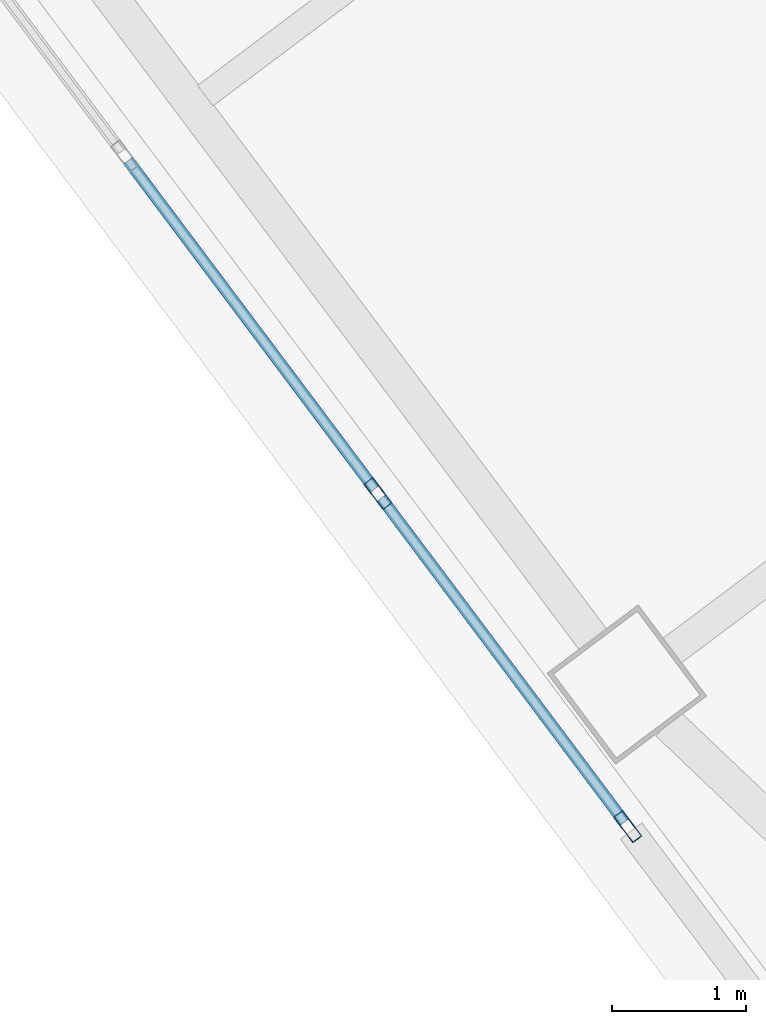
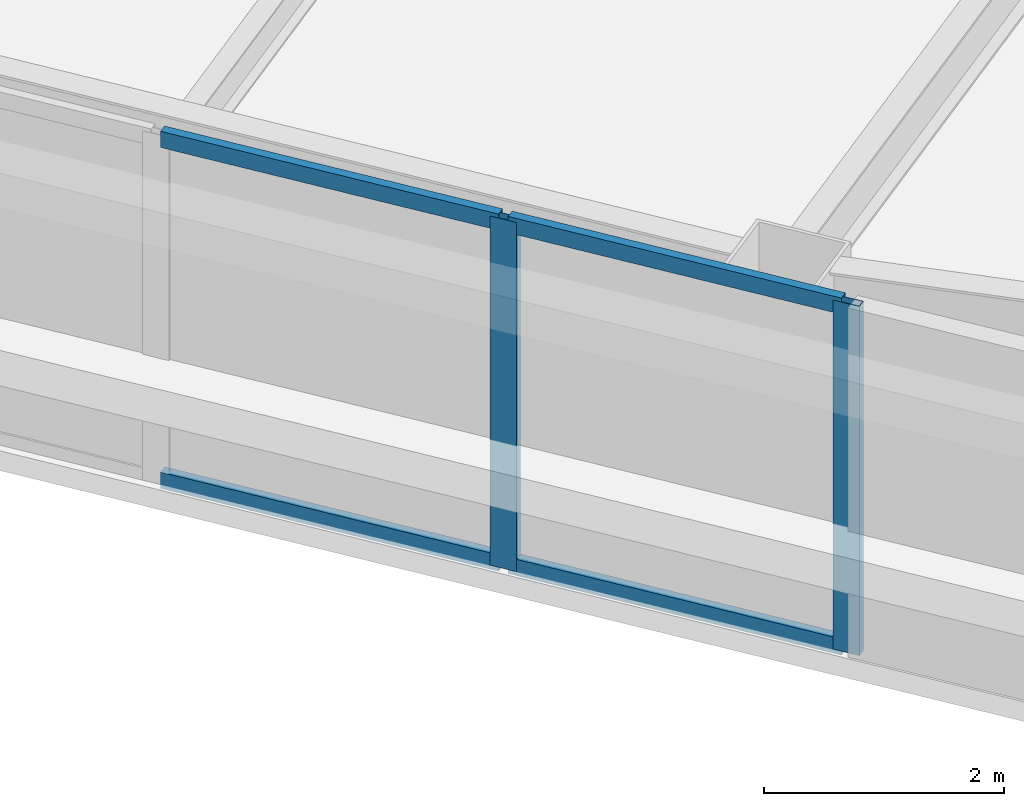
# One storey, part 34 of 75: 6 members, 1 element without a shape of its own.
"""IFC4 building model written with IfcOpenShell, lengths in metres."""

from ifc_helpers import new_model, si_unit, direction, frame, origin, origin_2d, place, context, subcontext, project, spatial, hollow_rectangle, extrude, material, material_profile, profile_set, type_object, element, aggregate, save


model = new_model("IFC4")

# Units and contexts
model_context = context("Model", 3, precision=1e-05, world=origin(), true_north=direction((0.0, 1.0)))
body_context = subcontext(model_context, "Body", "Model", "MODEL_VIEW")
ifc_project = project(units=[si_unit("LENGTHUNIT", "METRE"), si_unit("AREAUNIT", "SQUARE_METRE"), si_unit("VOLUMEUNIT", "CUBIC_METRE"), si_unit("PLANEANGLEUNIT", "RADIAN"), si_unit("MASSUNIT", "GRAM", prefix="KILO")], contexts=[model_context])

# Site, building, storey
site_placement = place(None, origin())
site = spatial("IfcSite", under=ifc_project, at=site_placement, CompositionType="ELEMENT")
building_placement = place(site_placement, origin())
building = spatial("IfcBuilding", under=site, at=building_placement, Name="Tashvorn Skyway Center", CompositionType="ELEMENT")
storey_placement = place(building_placement, frame((0.0, 0.0, 45.89990234375)))
storey = spatial("IfcBuildingStorey", under=building, at=storey_placement, Name="L11", CompositionType="ELEMENT", Elevation=45.89990234375)

# Curtain wall, members
ifc_material = material(Name="Thermally broken bronze-anodized aluminium 6063-T6", Category="aluminium")
curtain_wall_type = type_object("IfcCurtainWallType", Name="CW-CW-Z1", PredefinedType="NOTDEFINED", material=ifc_material)
curtain_wall_placement = place(storey_placement, origin())
curtain_wall = element("IfcCurtainWall", 1, at=curtain_wall_placement, inside=storey, type_object=curtain_wall_type, Name="Tower 2 L11 West Unitised Curtain Wall Glazing Group 2", PredefinedType="NOTDEFINED")
ifc_material_profile_1 = material_profile(ifc_material, hollow_rectangle(XDim=0.0849609375, YDim=0.239990234375, WallThickness=0.0048828125, at=origin_2d()), Name="ALU-MULL-85x240")
ifc_profile_set_1 = profile_set([ifc_material_profile_1], Name="Thermally broken bronze-anodized aluminium 6063-T6")
member_type_1 = type_object("IfcMemberType", Name="CWM-CW-Z1", PredefinedType="MULLION", material=ifc_profile_set_1)
member_1_placement = place(storey_placement, frame((100.406494140625, 13.9912109375, 0.0), z_axis=(0.0, 0.0, 1.0), x_axis=(-0.800001906763, -0.599997457641, 0.0)))
member_1 = element("IfcMember", 2, at=member_1_placement, type_object=member_type_1, Name="CW-Z1 mullion 1", PredefinedType="MULLION", context=body_context, shape_type="SweptSolid", body=[
    extrude(hollow_rectangle(XDim=0.0849609375, YDim=0.239990234375, WallThickness=0.0048828125, at=origin_2d()), origin(), (0.0, 0.0, 1.0), 3.550048828125),
])
member_2_placement = place(storey_placement, frame((98.5439453125, 16.474609375, 0.0), z_axis=(0.0, 0.0, 1.0), x_axis=(-0.800001906763, -0.599997457641, 0.0)))
member_2 = element("IfcMember", 3, at=member_2_placement, type_object=member_type_1, Name="CW-Z1 mullion 2", PredefinedType="MULLION", context=body_context, shape_type="SweptSolid", body=[
    extrude(hollow_rectangle(XDim=0.0849609375, YDim=0.239990234375, WallThickness=0.0048828125, at=origin_2d()), origin(), (0.0, 0.0, 1.0), 3.550048828125),
])
ifc_material_profile_2 = material_profile(ifc_material, hollow_rectangle(XDim=0.0849609375, YDim=0.1650390625, WallThickness=0.0048828125, at=origin_2d()), Name="ALU-TRAN-85x165")
ifc_profile_set_2 = profile_set([ifc_material_profile_2], Name="Thermally broken bronze-anodized aluminium 6063-T6")
member_type_2 = type_object("IfcMemberType", Name="CWT-CW-Z1", PredefinedType="USERDEFINED", material=ifc_profile_set_2)
member_3_placement = place(storey_placement, frame((100.381103515625, 14.025390625, 0.04248046875), z_axis=(-0.600012938206, 0.799990296182, 0.0), x_axis=(-0.799990296182, -0.600012938206, 0.0)))
member_3 = element("IfcMember", 4, at=member_3_placement, type_object=member_type_2, Name="CW-Z1 transom 1.1", ObjectType="TRANSOM", PredefinedType="USERDEFINED", context=body_context, shape_type="SweptSolid", body=[
    extrude(hollow_rectangle(XDim=0.0849609375, YDim=0.1650390625, WallThickness=0.0048828125, at=origin_2d()), origin(), (0.0, 0.0, 1.0), 3.01904296875),
])
member_4_placement = place(storey_placement, frame((100.381103515625, 14.025390625, 3.507568359375), z_axis=(-0.600012938206, 0.799990296182, 0.0), x_axis=(-0.799990296182, -0.600012938206, 0.0)))
member_4 = element("IfcMember", 5, at=member_4_placement, type_object=member_type_2, Name="CW-Z1 transom 1.2", ObjectType="TRANSOM", PredefinedType="USERDEFINED", context=body_context, shape_type="SweptSolid", body=[
    extrude(hollow_rectangle(XDim=0.0849609375, YDim=0.1650390625, WallThickness=0.0048828125, at=origin_2d()), origin(), (0.0, 0.0, 1.0), 3.01904296875),
])
member_5_placement = place(storey_placement, frame((98.5185546875, 16.508544921875, 0.04248046875), z_axis=(-0.60001275767, 0.799990431589, 0.0), x_axis=(-0.799990431589, -0.60001275767, 0.0)))
member_5 = element("IfcMember", 6, at=member_5_placement, type_object=member_type_2, Name="CW-Z1 transom 2.1", ObjectType="TRANSOM", PredefinedType="USERDEFINED", context=body_context, shape_type="SweptSolid", body=[
    extrude(hollow_rectangle(XDim=0.0849609375, YDim=0.1650390625, WallThickness=0.0048828125, at=origin_2d()), origin(), (0.0, 0.0, 1.0), 3.061767578125),
])
member_6_placement = place(storey_placement, frame((98.5185546875, 16.508544921875, 3.507568359375), z_axis=(-0.60001275767, 0.799990431589, 0.0), x_axis=(-0.799990431589, -0.60001275767, 0.0)))
member_6 = element("IfcMember", 7, at=member_6_placement, type_object=member_type_2, Name="CW-Z1 transom 2.2", ObjectType="TRANSOM", PredefinedType="USERDEFINED", context=body_context, shape_type="SweptSolid", body=[
    extrude(hollow_rectangle(XDim=0.0849609375, YDim=0.1650390625, WallThickness=0.0048828125, at=origin_2d()), origin(), (0.0, 0.0, 1.0), 3.061767578125),
])
aggregate(curtain_wall, [member_1, member_2, member_3, member_4, member_5, member_6])

save(model, "model.ifc")
